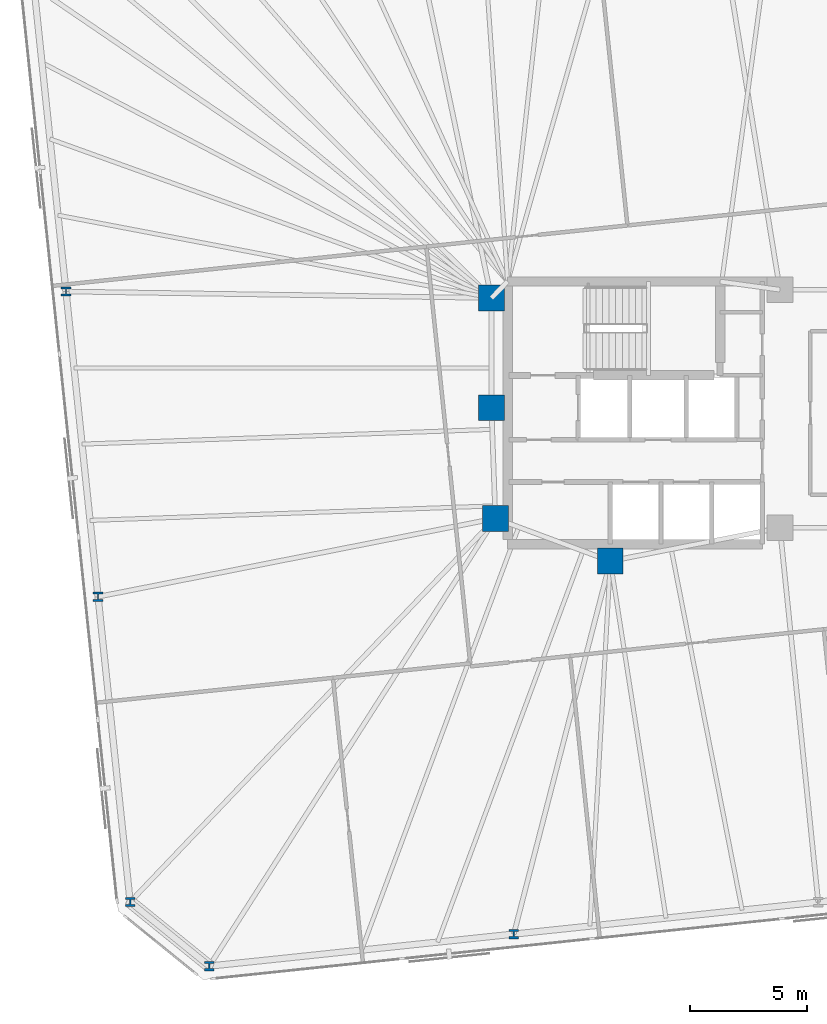
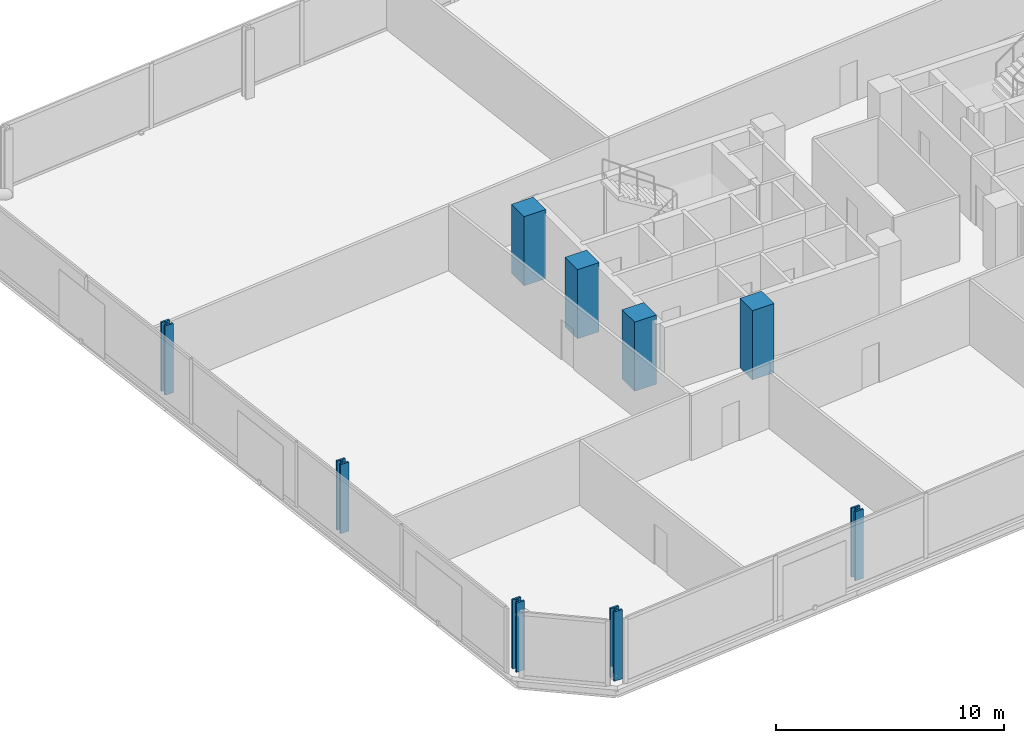
# One storey, part 1 of 18: 9 columns.
"""IFC4 building model written with IfcOpenShell, lengths in metres."""

from ifc_helpers import new_model, si_unit, direction, frame, origin, origin_2d, place, context, subcontext, project, spatial, rectangle, i_section, extrude, material, material_profile, profile_set, type_object, element, save


model = new_model("IFC4")

# Units and contexts
model_context = context("Model", 3, precision=1e-05, world=origin(), true_north=direction((0.0, 1.0)))
body_context = subcontext(model_context, "Body", "Model", "MODEL_VIEW")
ifc_project = project(units=[si_unit("LENGTHUNIT", "METRE"), si_unit("AREAUNIT", "SQUARE_METRE"), si_unit("VOLUMEUNIT", "CUBIC_METRE"), si_unit("PLANEANGLEUNIT", "RADIAN"), si_unit("MASSUNIT", "GRAM", prefix="KILO")], contexts=[model_context])

# Site, building, storey
site_placement = place(None, origin())
site = spatial("IfcSite", under=ifc_project, at=site_placement, CompositionType="ELEMENT")
building_placement = place(site_placement, origin())
building = spatial("IfcBuilding", under=site, at=building_placement, Name="Menara Jurai Vektor", CompositionType="ELEMENT")
storey_placement = place(building_placement, frame((0.0, 0.0, 124.39990234375)))
storey = spatial("IfcBuildingStorey", under=building, at=storey_placement, Name="L31", CompositionType="ELEMENT", Elevation=124.39990234375)

# Columns
ifc_material_1 = material(Name="Concrete C50/60", Category="concrete")
ifc_material_profile_1 = material_profile(ifc_material_1, rectangle(XDim=1.10009765625, YDim=1.10009765625, at=origin_2d()), Name="RC 1100x1100")
ifc_profile_set_1 = profile_set([ifc_material_profile_1], Name="Concrete C50/60")
column_type_1 = type_object("IfcColumnType", Name="STR-COL-RC1100", PredefinedType="COLUMN", material=ifc_profile_set_1)
for number, where, z_axis, x_axis, name in (
    (1, (-15.25, 4.89990234375, 0.0), (0.0, 0.0, 1.0), (1.0, 0.0, 0.0), "Core Spine Column CW-NW L31"),
    (2, (-15.25, 0.219970703125, 0.0), (0.0, 0.0, 1.0), (1.0, 0.0, 0.0), "Core Spine Column CW-WM L31"),
    (3, (-15.080078125, -4.5, 0.0), (0.0, 0.0, 1.0), (1.0, 0.0, 0.0), "Core Spine Column CW-SW L31"),
    (4, (-10.179931640625, -6.320068359375, 0.0), (0.0, 0.0, 1.0), (1.0, 0.0, 0.0), "Core Spine Column CW-SM L31"),
):
    element("IfcColumn", number, at=place(storey_placement, frame(where, z_axis=z_axis, x_axis=x_axis)), inside=storey, type_object=column_type_1, Name=name, PredefinedType="COLUMN", context=body_context, shape_type="SweptSolid", body=[
        extrude(rectangle(XDim=1.10009765625, YDim=1.10009765625, at=origin_2d()), origin(), (0.0, 0.0, 1.0), 3.7001953125),
    ])
ifc_material_2 = material(Name="Steel S460", Category="steel")
ifc_material_profile_2 = material_profile(ifc_material_2, i_section(OverallWidth=0.4130859375, OverallDepth=0.39794921875, WebThickness=0.055908203125, FlangeThickness=0.089111328125, FilletRadius=0.014892578125, at=origin_2d()), Name="HD 400x744")
ifc_profile_set_2 = profile_set([ifc_material_profile_2], Name="Steel S460")
column_type_2 = type_object("IfcColumnType", Name="STR-EXO-BLK2", PredefinedType="COLUMN", material=ifc_profile_set_2)
for number, where, z_axis, x_axis, name in (
    (5, (-27.2763671875, -23.586181640625, 0.0), (0.0, 0.0, 1.0), (1.0, 0.0, 0.0), "Exoskeleton Column BLK2-S1 L31"),
    (6, (-14.296630859375, -22.221923828125, 0.0), (0.0, 0.0, 1.0), (1.0, 0.0, 0.0), "Exoskeleton Column BLK2-S2 L31"),
    (7, (-33.388427734375, 5.175048828125, 0.0), (0.0, 0.0, 1.0), (1.0, 0.0, 0.0), "Exoskeleton Column BLK2-W2 L31"),
    (8, (-32.0205078125, -7.83837890625, 0.0), (0.0, 0.0, 1.0), (1.0, 0.0, 0.0), "Exoskeleton Column BLK2-W3 L31"),
    (9, (-30.65283203125, -20.85205078125, 0.0), (0.0, 0.0, 1.0), (1.0, 0.0, 0.0), "Exoskeleton Column BLK2-W4 L31"),
):
    element("IfcColumn", number, at=place(storey_placement, frame(where, z_axis=z_axis, x_axis=x_axis)), inside=storey, type_object=column_type_2, Name=name, PredefinedType="COLUMN", context=body_context, shape_type="SweptSolid", body=[
        extrude(i_section(OverallWidth=0.4130859375, OverallDepth=0.39794921875, WebThickness=0.055908203125, FlangeThickness=0.089111328125, FilletRadius=0.014892578125, at=origin_2d()), origin(), (0.0, 0.0, 1.0), 3.7001953125),
    ])

save(model, "model.ifc")
